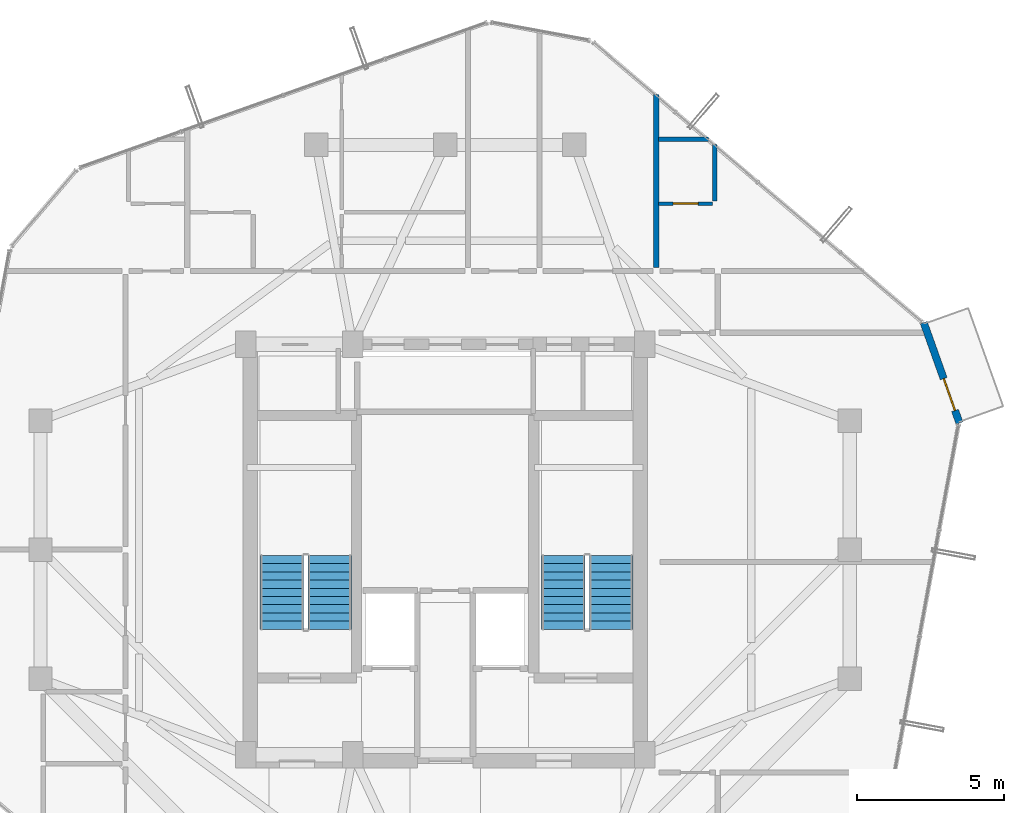
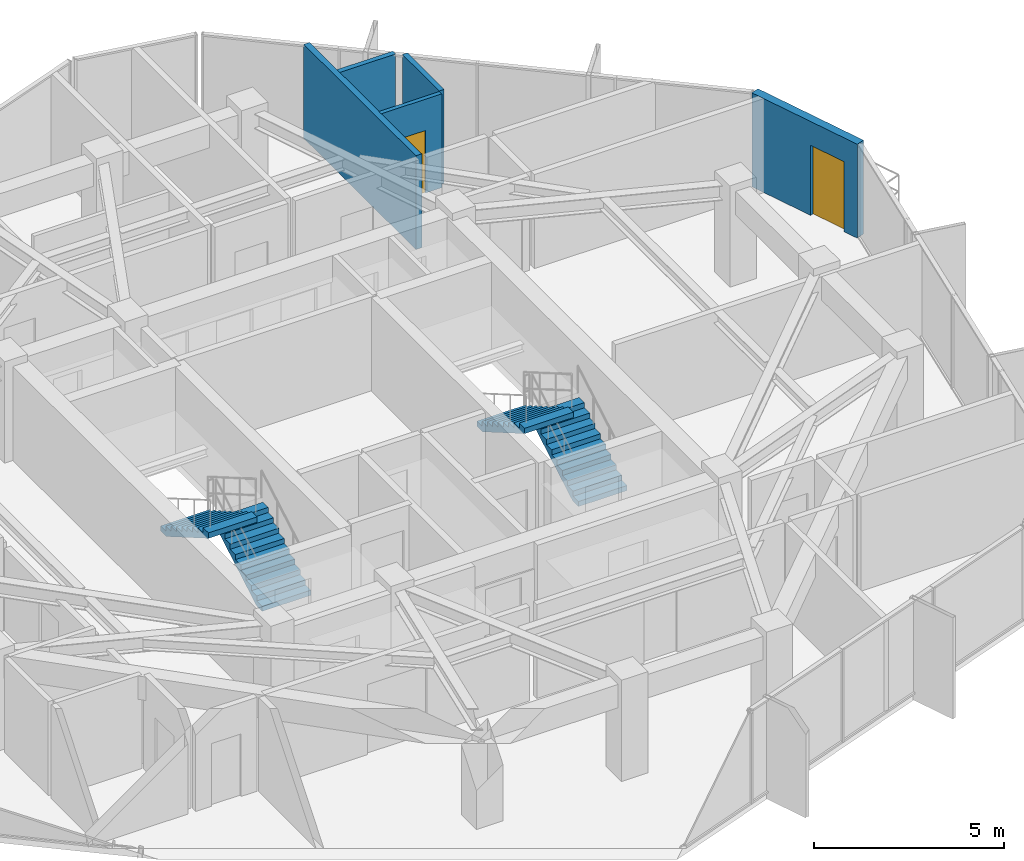
# One storey, part 27 of 29: 5 walls, 4 stair flights, 2 doors, 2 openings, 2 elements without a shape of their own.
"""IFC4 building model written with IfcOpenShell, lengths in metres."""

from ifc_helpers import new_model, si_unit, direction, frame, frame_2d, origin, place, context, subcontext, project, spatial, polyline, rectangle, outline, extrude, source, transform, mapped, material, layer, layer_set, type_object, element, fill, aggregate, save


model = new_model("IFC4")

# Units and contexts
model_context = context("Model", 3, precision=1e-05, world=origin(), true_north=direction((0.0, 1.0)))
body_context = subcontext(model_context, "Body", "Model", "MODEL_VIEW")
ifc_project = project(units=[si_unit("LENGTHUNIT", "METRE"), si_unit("AREAUNIT", "SQUARE_METRE"), si_unit("VOLUMEUNIT", "CUBIC_METRE"), si_unit("PLANEANGLEUNIT", "RADIAN"), si_unit("MASSUNIT", "GRAM", prefix="KILO")], contexts=[model_context])

# Site, building, storey
site_placement = place(None, origin())
site = spatial("IfcSite", under=ifc_project, at=site_placement, CompositionType="ELEMENT")
building_placement = place(site_placement, origin())
building = spatial("IfcBuilding", under=site, at=building_placement, Name="Veraguas Prism Commons", CompositionType="ELEMENT")
storey_placement = place(building_placement, frame((0.0, 0.0, 244.75)))
storey = spatial("IfcBuildingStorey", under=building, at=storey_placement, Name="L69", CompositionType="ELEMENT", Elevation=244.75)

# Wall
ifc_material_1 = material(Name="Autoclaved aerated masonry block 10 MPa", Category="masonry")
ifc_layer_1 = layer(ifc_material_1, 0.179931640625, Name="Corridor and Inter-Tenancy Partition 180", Category="masonry")
ifc_layer_set_1 = layer_set([ifc_layer_1], Name="Autoclaved aerated masonry block 10 MPa")
wall_type_1 = type_object("IfcWallType", Name="Corridor and Inter-Tenancy Partition 180", PredefinedType="PARTITIONING", material=ifc_layer_set_1)
wall_1_placement = place(storey_placement, frame((31.199951171875, 33.6201171875, 0.0), z_axis=(0.0, 0.0, 1.0), x_axis=(0.0, 1.0, 0.0)))
element("IfcWall", 1, at=wall_1_placement, inside=storey, type_object=wall_type_1, Name="WL-L69-PT006", PredefinedType="PARTITIONING", context=body_context, shape_type="SweptSolid", body=[
    extrude(rectangle(XDim=5.8984375, YDim=0.179931640625, at=frame_2d((2.94921875, 0.0))), origin(), (0.0, 0.0, 1.0), 3.014892578125),
])

# Wall, opening, door
ifc_material_2 = material(Name="Precast concrete C40/50", Category="concrete")
ifc_layer_2 = layer(ifc_material_2, 0.25, Name="External Loggia and Portal Wall 250", Category="concrete")
ifc_layer_set_2 = layer_set([ifc_layer_2], Name="Precast concrete C40/50")
wall_type_2 = type_object("IfcWallType", Name="External Loggia and Portal Wall 250", PredefinedType="SOLIDWALL", material=ifc_layer_set_2)
wall_2_placement = place(storey_placement, frame((41.541259765625, 28.31298828125, 0.0), z_axis=(0.0, 0.0, 1.0), x_axis=(-0.33546582339, 0.942052377173, 0.0)))
wall_2 = element("IfcWall", 2, at=wall_2_placement, inside=storey, type_object=wall_type_2, Name="Corner Loggia Wall L69-C1", PredefinedType="SOLIDWALL", context=body_context, shape_type="SweptSolid", body=[
    extrude(rectangle(XDim=3.642578125, YDim=0.25, at=frame_2d((1.8212890625, 0.0))), origin(), (0.0, 0.0, 1.0), 3.014892578125),
])
opening_1_placement = place(wall_2_placement, frame((0.4599609375, 0.0, 0.0)))
opening_1 = element("IfcOpeningElement", 3, at=opening_1_placement, cuts=wall_2, Name="Opening DR-10", PredefinedType="OPENING", context=body_context, shape_type="SweptSolid", body=[
    extrude(rectangle(XDim=1.14990234375, YDim=2.25, at=frame_2d((0.574951171875, 1.125))), frame((0.0, 0.135009765625, 0.0), z_axis=(0.0, -1.0, 0.0), x_axis=(1.0, 0.0, 0.0)), (0.0, 0.0, 1.0), 0.27001953125),
])
ifc_material_3 = material(Name="Anodised aluminium EN AW-6063 T6", Category="aluminium")
door_type_1 = type_object("IfcDoorType", Name="Glazed Loggia and Terrace Door 1150x2250", OperationType="NOTDEFINED", PredefinedType="DOOR", material=ifc_material_3)
shared_shape_1 = source(origin(), body_context, "Body", "SweptSolid", [
    extrude(rectangle(XDim=1.14990234375, YDim=2.25, at=frame_2d((0.574951171875, 1.125))), frame((0.0, 0.02490234375, 0.0), z_axis=(0.0, -1.0, 0.0), x_axis=(1.0, 0.0, 0.0)), (0.0, 0.0, 1.0), 0.050048828125),
])
door_1_placement = place(opening_1_placement, frame((1.14990234375, 0.0, 0.0), z_axis=(0.0, 0.0, 1.0), x_axis=(-1.0, 0.0, 0.0)))
door_1 = element("IfcDoor", 4, at=door_1_placement, inside=storey, type_object=door_type_1, Name="Recessed Loggia Door L69-C1", OperationType="SINGLE_SWING_LEFT", OverallHeight=2.25, OverallWidth=1.14990234375, PredefinedType="DOOR", context=body_context, shape_type="MappedRepresentation", body=[
    mapped(shared_shape_1, transform((0.0, 0.0, 0.0), scale=1.0)),
])
fill(opening_1, door_1)

ifc_material_4 = material(Name="Lightweight acoustic gypsum board")
ifc_layer_3 = layer(ifc_material_4, 0.125, Name="Internal Apartment Room Partition 125")
ifc_layer_set_3 = layer_set([ifc_layer_3], Name="Lightweight acoustic gypsum board")
wall_type_3 = type_object("IfcWallType", Name="Internal Apartment Room Partition 125", PredefinedType="PARTITIONING", material=ifc_layer_set_3)
wall_3_placement = place(storey_placement, frame((31.280029296875, 35.800048828125, 0.0), z_axis=(0.0, 0.0, 1.0), x_axis=(1.0, 0.0, 0.0)))
wall_3 = element("IfcWall", 5, at=wall_3_placement, inside=storey, type_object=wall_type_3, Name="WL-L69-PT044", PredefinedType="PARTITIONING", context=body_context, shape_type="SweptSolid", body=[
    extrude(rectangle(XDim=1.840087890625, YDim=0.125, at=frame_2d((0.919921875, 0.0))), origin(), (0.0, 0.0, 1.0), 3.014892578125),
])
opening_2_placement = place(wall_3_placement, frame((0.489990234375, 0.0, 0.0)))
opening_2 = element("IfcOpeningElement", 6, at=opening_2_placement, cuts=wall_3, Name="Opening DR-03", PredefinedType="OPENING", context=body_context, shape_type="SweptSolid", body=[
    extrude(rectangle(XDim=0.860107421875, YDim=2.010009765625, at=frame_2d((0.43017578125, 1.0048828125))), frame((0.0, 0.072509765625, 0.0), z_axis=(0.0, -1.0, 0.0), x_axis=(1.0, 0.0, 0.0)), (0.0, 0.0, 1.0), 0.14501953125),
])
ifc_material_5 = material(Name="Timber moisture-resistant leaf", Category="wood")
door_type_2 = type_object("IfcDoorType", Name="Internal Bathroom Door 860x2010", OperationType="NOTDEFINED", PredefinedType="DOOR", material=ifc_material_5)
shared_shape_2 = source(origin(), body_context, "Body", "SweptSolid", [
    extrude(rectangle(XDim=0.860107421875, YDim=2.010009765625, at=frame_2d((0.43017578125, 1.0048828125))), frame((0.0, 0.02490234375, 0.0), z_axis=(0.0, -1.0, 0.0), x_axis=(1.0, 0.0, 0.0)), (0.0, 0.0, 1.0), 0.050048828125),
])
door_2_placement = place(opening_2_placement, origin())
door_2 = element("IfcDoor", 7, at=door_2_placement, inside=storey, type_object=door_type_2, Name="Studio 69C Bathroom Door", OperationType="SINGLE_SWING_RIGHT", OverallHeight=2.010009765625, OverallWidth=0.860107421875, PredefinedType="DOOR", context=body_context, shape_type="MappedRepresentation", body=[
    mapped(shared_shape_2, transform((0.0, 0.0, 0.0), scale=1.0)),
])
fill(opening_2, door_2)

# Walls
ifc_layer_4 = layer(ifc_material_4, 0.14990234375, Name="Wet Room and Clinic Acoustic Partition 150")
ifc_layer_set_4 = layer_set([ifc_layer_4], Name="Lightweight acoustic gypsum board")
wall_type_4 = type_object("IfcWallType", Name="Wet Room and Clinic Acoustic Partition 150", PredefinedType="PARTITIONING", material=ifc_layer_set_4)
wall_4_placement = place(storey_placement, frame((31.280029296875, 38.0, 0.0), z_axis=(0.0, 0.0, 1.0), x_axis=(1.0, 0.0, 0.0)))
element("IfcWall", 8, at=wall_4_placement, inside=storey, type_object=wall_type_4, Name="WL-L69-PT045", PredefinedType="PARTITIONING", context=body_context, shape_type="SweptSolid", body=[
    extrude(rectangle(XDim=1.704345703125, YDim=0.14990234375, at=frame_2d((0.85205078125, 0.0))), origin(), (0.0, 0.0, 1.0), 3.014892578125),
])
wall_5_placement = place(storey_placement, frame((33.199951171875, 35.8798828125, 0.0), z_axis=(0.0, 0.0, 1.0), x_axis=(0.0, 1.0, 0.0)))
element("IfcWall", 9, at=wall_5_placement, inside=storey, type_object=wall_type_4, Name="WL-L69-PT046", PredefinedType="PARTITIONING", context=body_context, shape_type="SweptSolid", body=[
    extrude(rectangle(XDim=1.9365234375, YDim=0.14990234375, at=frame_2d((0.96826171875, 0.0))), origin(), (0.0, 0.0, 1.0), 3.014892578125),
])

# Stair, stair flights
ifc_material_6 = material(Name="Precast concrete C45/55", Category="concrete")
stair_type = type_object("IfcStairType", Name="Dogleg Core Stair 1480W 20R 05", PredefinedType="HALF_TURN_STAIR", material=ifc_material_6)
stair_1_placement = place(storey_placement, origin())
stair_1 = element("IfcStair", 10, at=stair_1_placement, inside=storey, type_object=stair_type, Name="Protected Exit Stair ST-01 L69", PredefinedType="HALF_TURN_STAIR")
stair_flight_type = type_object("IfcStairFlightType", Name="Precast Stair Flight 1480W 10R 05", PredefinedType="STRAIGHT", material=ifc_material_6)
stair_flight_1_placement = place(storey_placement, frame((20.06005859375, 21.280029296875, 0.0), z_axis=(0.0, 0.0, 1.0), x_axis=(0.0, 1.0, 0.0)))
stair_flight_1 = element("IfcStairFlight", 11, at=stair_flight_1_placement, type_object=stair_flight_type, Name="ST-05 Flight 1", NumberOfRisers=10, NumberOfTreads=9, PredefinedType="STRAIGHT", RiserHeight=0.1625, TreadLength=0.28, context=body_context, shape_type="SweptSolid", body=[
    extrude(outline(polyline([(0.0, 0.0), (0.0, 0.16259765625), (0.280029296875, 0.16259765625), (0.280029296875, 0.324951171875), (0.56005859375, 0.324951171875), (0.56005859375, 0.487548828125), (0.840087890625, 0.487548828125), (0.840087890625, 0.64990234375), (1.1201171875, 0.64990234375), (1.1201171875, 0.8125), (1.39990234375, 0.8125), (1.39990234375, 0.97509765625), (1.679931640625, 0.97509765625), (1.679931640625, 1.137451171875), (1.9599609375, 1.137451171875), (1.9599609375, 1.300048828125), (2.239990234375, 1.300048828125), (2.239990234375, 1.46240234375), (2.52001953125, 1.46240234375), (2.52001953125, 1.625), (2.52001953125, 1.2890625), (0.298583984375, 0.0), (0.0, 0.0)])), frame((0.0, 0.739990234375, 0.0), z_axis=(0.0, -1.0, 0.0), x_axis=(1.0, 0.0, 0.0)), (0.0, 0.0, 1.0), 1.47998046875),
])
stair_flight_2_placement = place(storey_placement, frame((18.429931640625, 23.800048828125, 1.625), z_axis=(0.0, 0.0, 1.0), x_axis=(0.0, -1.0, 0.0)))
stair_flight_2 = element("IfcStairFlight", 12, at=stair_flight_2_placement, type_object=stair_flight_type, Name="ST-05 Flight 2", NumberOfRisers=10, NumberOfTreads=9, PredefinedType="STRAIGHT", RiserHeight=0.1625, TreadLength=0.28, context=body_context, shape_type="SweptSolid", body=[
    extrude(outline(polyline([(0.0, 0.0), (0.0, 0.16259765625), (0.280029296875, 0.16259765625), (0.280029296875, 0.324951171875), (0.56005859375, 0.324951171875), (0.56005859375, 0.487548828125), (0.840087890625, 0.487548828125), (0.840087890625, 0.64990234375), (1.1201171875, 0.64990234375), (1.1201171875, 0.8125), (1.39990234375, 0.8125), (1.39990234375, 0.97509765625), (1.679931640625, 0.97509765625), (1.679931640625, 1.137451171875), (1.9599609375, 1.137451171875), (1.9599609375, 1.300048828125), (2.239990234375, 1.300048828125), (2.239990234375, 1.46240234375), (2.52001953125, 1.46240234375), (2.52001953125, 1.625), (2.52001953125, 1.2890625), (0.298583984375, 0.0), (0.0, 0.0)])), frame((0.0, 0.739990234375, 0.0), z_axis=(0.0, -1.0, 0.0), x_axis=(1.0, 0.0, 0.0)), (0.0, 0.0, 1.0), 1.47998046875),
])
aggregate(stair_1, [stair_flight_1, stair_flight_2])

stair_2_placement = place(storey_placement, origin())
stair_2 = element("IfcStair", 13, at=stair_2_placement, inside=storey, type_object=stair_type, Name="Protected Exit Stair ST-02 L69", PredefinedType="HALF_TURN_STAIR")
stair_flight_3_placement = place(storey_placement, frame((29.659912109375, 21.280029296875, 0.0), z_axis=(0.0, 0.0, 1.0), x_axis=(0.0, 1.0, 0.0)))
stair_flight_3 = element("IfcStairFlight", 14, at=stair_flight_3_placement, type_object=stair_flight_type, Name="ST-05 Flight 1", NumberOfRisers=10, NumberOfTreads=9, PredefinedType="STRAIGHT", RiserHeight=0.1625, TreadLength=0.28, context=body_context, shape_type="SweptSolid", body=[
    extrude(outline(polyline([(0.0, 0.0), (0.0, 0.16259765625), (0.280029296875, 0.16259765625), (0.280029296875, 0.324951171875), (0.56005859375, 0.324951171875), (0.56005859375, 0.487548828125), (0.840087890625, 0.487548828125), (0.840087890625, 0.64990234375), (1.1201171875, 0.64990234375), (1.1201171875, 0.8125), (1.39990234375, 0.8125), (1.39990234375, 0.97509765625), (1.679931640625, 0.97509765625), (1.679931640625, 1.137451171875), (1.9599609375, 1.137451171875), (1.9599609375, 1.300048828125), (2.239990234375, 1.300048828125), (2.239990234375, 1.46240234375), (2.52001953125, 1.46240234375), (2.52001953125, 1.625), (2.52001953125, 1.2890625), (0.298583984375, 0.0), (0.0, 0.0)])), frame((0.0, 0.739990234375, 0.0), z_axis=(0.0, -1.0, 0.0), x_axis=(1.0, 0.0, 0.0)), (0.0, 0.0, 1.0), 1.47998046875),
])
stair_flight_4_placement = place(storey_placement, frame((28.030029296875, 23.800048828125, 1.625), z_axis=(0.0, 0.0, 1.0), x_axis=(0.0, -1.0, 0.0)))
stair_flight_4 = element("IfcStairFlight", 15, at=stair_flight_4_placement, type_object=stair_flight_type, Name="ST-05 Flight 2", NumberOfRisers=10, NumberOfTreads=9, PredefinedType="STRAIGHT", RiserHeight=0.1625, TreadLength=0.28, context=body_context, shape_type="SweptSolid", body=[
    extrude(outline(polyline([(0.0, 0.0), (0.0, 0.16259765625), (0.280029296875, 0.16259765625), (0.280029296875, 0.324951171875), (0.56005859375, 0.324951171875), (0.56005859375, 0.487548828125), (0.840087890625, 0.487548828125), (0.840087890625, 0.64990234375), (1.1201171875, 0.64990234375), (1.1201171875, 0.8125), (1.39990234375, 0.8125), (1.39990234375, 0.97509765625), (1.679931640625, 0.97509765625), (1.679931640625, 1.137451171875), (1.9599609375, 1.137451171875), (1.9599609375, 1.300048828125), (2.239990234375, 1.300048828125), (2.239990234375, 1.46240234375), (2.52001953125, 1.46240234375), (2.52001953125, 1.625), (2.52001953125, 1.2890625), (0.298583984375, 0.0), (0.0, 0.0)])), frame((0.0, 0.739990234375, 0.0), z_axis=(0.0, -1.0, 0.0), x_axis=(1.0, 0.0, 0.0)), (0.0, 0.0, 1.0), 1.47998046875),
])
aggregate(stair_2, [stair_flight_3, stair_flight_4])

save(model, "model.ifc")
